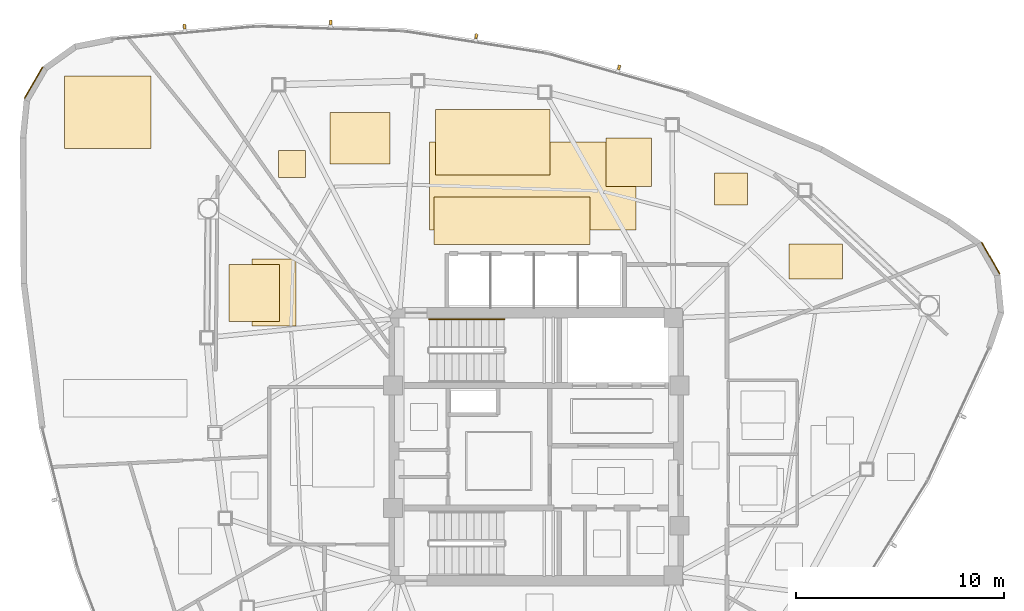
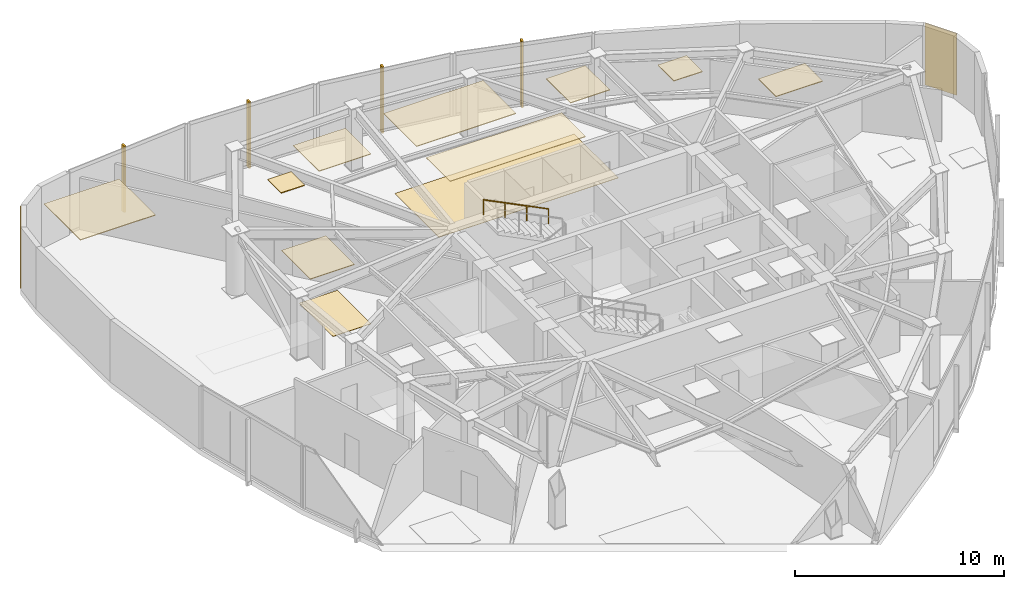
# One storey, part 13 of 13: 13 coverings, 4 shading devices, 1 railing.
"""IFC4 building model written with IfcOpenShell, lengths in metres."""

from ifc_helpers import new_model, si_unit, direction, frame, origin, origin_2d, place, context, subcontext, project, spatial, polyline, rectangle, outline, extrude, source, transform, mapped, material, layer, layer_set, type_object, type_shapes, element, save


model = new_model("IFC4")

# Units and contexts
model_context = context("Model", 3, precision=1e-05, world=origin(), true_north=direction((0.0, 1.0)))
body_context = subcontext(model_context, "Body", "Model", "MODEL_VIEW")
ifc_project = project(units=[si_unit("LENGTHUNIT", "METRE"), si_unit("AREAUNIT", "SQUARE_METRE"), si_unit("VOLUMEUNIT", "CUBIC_METRE"), si_unit("PLANEANGLEUNIT", "RADIAN"), si_unit("MASSUNIT", "GRAM", prefix="KILO")], contexts=[model_context])

# Site, building, storey
site_placement = place(None, origin())
site = spatial("IfcSite", under=ifc_project, at=site_placement, CompositionType="ELEMENT")
building_placement = place(site_placement, origin())
building = spatial("IfcBuilding", under=site, at=building_placement, Name="Tavelor Broadcast Tower", CompositionType="ELEMENT")
storey_placement = place(building_placement, frame((0.0, 0.0, 241.89990234375)))
storey = spatial("IfcBuildingStorey", under=building, at=storey_placement, Name="L57", CompositionType="ELEMENT", Elevation=241.89990234375)

# Coverings
ifc_material_1 = material(Name="Copper-Bronze Anodized Aluminium", Category="aluminium")
ifc_layer_1 = layer(ifc_material_1, 0.050048828125)
ifc_layer_set_1 = layer_set([ifc_layer_1], Name="Copper-Bronze Anodized Aluminium")
covering_type_1 = type_object("IfcCoveringType", Name="Champagne-Bronze Corner Pier Metal Cladding 50 mm", PredefinedType="CLADDING", material=ifc_layer_set_1)
for number, where, z_axis, x_axis, name in (
    (1, (25.791748046875, 62.53076171875, 0.02001953125), (0.0, 0.0, 1.0), (-0.502265533143, -0.86471344052, 0.0), "L57 Champagne-Bronze Corner Cladding 03"),
    (2, (71.88623046875, 54.081787109375, 0.02001953125), (0.0, 0.0, 1.0), (-0.497731039913, 0.867331431408, 0.0), "L57 Champagne-Bronze Corner Cladding 23"),
):
    element("IfcCovering", number, at=place(storey_placement, frame(where, z_axis=z_axis, x_axis=x_axis)), inside=storey, type_object=covering_type_1, Name=name, PredefinedType="CLADDING", context=body_context, shape_type="SweptSolid", body=[
        extrude(rectangle(XDim=1.748046875, YDim=0.050048828125, at=origin_2d()), origin(), (0.0, 0.0, 1.0), 3.610107421875),
    ])

# Railing
ifc_material_2 = material(Name="Steel S355", Category="steel")
railing_type = type_object("IfcRailingType", Name="Continuous Brushed Stainless Handrail 900 mm", PredefinedType="HANDRAIL", material=ifc_material_2)
railing_placement = place(storey_placement, frame((48.449951171875, 51.14990234375, 2.154541015625)))
element("IfcRailing", 3, at=railing_placement, inside=storey, type_object=railing_type, Name="L57 ST1 stair handrail 2", PredefinedType="HANDRAIL", context=body_context, shape_type="SweptSolid", body=[
    extrude(rectangle(XDim=0.048095703125, YDim=0.048095703125, at=origin_2d()), frame((0.0, 0.0, 0.8759765625), z_axis=(-0.894851606799, 0.0, 0.446363755036), x_axis=(0.0, -1.0, 0.0)), (0.0, 0.0, 1.0), 4.02294921875),
    extrude(rectangle(XDim=0.0419921875, YDim=0.0419921875, at=origin_2d()), origin(), (0.0, 0.0, 1.0), 0.851806640625),
    extrude(rectangle(XDim=0.0419921875, YDim=0.0419921875, at=origin_2d()), frame((-1.199951171875, 0.0, 0.5986328125)), (0.0, 0.0, 1.0), 0.851806640625),
    extrude(rectangle(XDim=0.0419921875, YDim=0.0419921875, at=origin_2d()), frame((-2.39990234375, 0.0, 1.197021484375)), (0.0, 0.0, 1.0), 0.851806640625),
    extrude(rectangle(XDim=0.0419921875, YDim=0.0419921875, at=origin_2d()), frame((-3.599853515625, 0.0, 1.795654296875)), (0.0, 0.0, 1.0), 0.851806640625),
])

# Coverings
ifc_material_3 = material(Name="Acoustic Nylon Carpet Tile")
ifc_layer_2 = layer(ifc_material_3, 0.02001953125)
ifc_layer_set_2 = layer_set([ifc_layer_2], Name="Acoustic Nylon Carpet Tile")
covering_type_2 = type_object("IfcCoveringType", Name="Heavy-Duty Acoustic Broadcast Carpet Tile 20 mm", PredefinedType="FLOORING", material=ifc_layer_set_2)
covering_1_placement = place(storey_placement, origin())
element("IfcCovering", 4, at=covering_1_placement, inside=storey, type_object=covering_type_2, Name="L57 Broadcast Floor Finish 0845", PredefinedType="FLOORING", context=body_context, shape_type="SweptSolid", body=[
    extrude(outline(polyline([(36.320556640625, 50.807373046875), (38.439697265625, 50.807373046875), (38.439697265625, 54.03271484375), (36.320556640625, 54.03271484375), (36.320556640625, 50.807373046875)])), origin(), (0.0, 0.0, 1.0), 0.02001953125),
])
covering_2_placement = place(storey_placement, origin())
element("IfcCovering", 5, at=covering_2_placement, inside=storey, type_object=covering_type_2, Name="L57 Broadcast Floor Finish 0846", PredefinedType="FLOORING", context=body_context, shape_type="SweptSolid", body=[
    extrude(outline(polyline([(44.868896484375, 55.442138671875), (54.81201171875, 55.442138671875), (54.81201171875, 59.675048828125), (44.868896484375, 59.675048828125), (44.868896484375, 55.442138671875)])), origin(), (0.0, 0.0, 1.0), 0.02001953125),
])
ifc_material_4 = material(Name="Acoustic Mineral Fibre Tile")
ifc_layer_3 = layer(ifc_material_4, 0.0400390625)
ifc_layer_set_3 = layer_set([ifc_layer_3], Name="Acoustic Mineral Fibre Tile")
covering_type_3 = type_object("IfcCoveringType", Name="Suspended Acoustic Mineral-Fibre Office Ceiling 40 mm", PredefinedType="CEILING", material=ifc_layer_set_3)
covering_3_placement = place(storey_placement, frame((0.0, 0.0, 3.610107421875)))
element("IfcCovering", 6, at=covering_3_placement, inside=storey, type_object=covering_type_3, Name="L57 Suspended Acoustic Ceiling 2257", PredefinedType="CEILING", context=body_context, shape_type="SweptSolid", body=[
    extrude(outline(polyline([(35.197509765625, 51.0234375), (37.646484375, 51.0234375), (37.646484375, 53.785400390625), (35.197509765625, 53.785400390625), (35.197509765625, 51.0234375)])), origin(), (0.0, 0.0, 1.0), 0.0400390625),
])
covering_4_placement = place(storey_placement, frame((0.0, 0.0, 3.610107421875)))
element("IfcCovering", 7, at=covering_4_placement, inside=storey, type_object=covering_type_3, Name="L57 Suspended Acoustic Ceiling 2258", PredefinedType="CEILING", context=body_context, shape_type="SweptSolid", body=[
    extrude(outline(polyline([(27.28173828125, 59.373291015625), (31.4423828125, 59.373291015625), (31.4423828125, 62.855712890625), (27.28173828125, 62.855712890625), (27.28173828125, 59.373291015625)])), origin(), (0.0, 0.0, 1.0), 0.0400390625),
])
covering_5_placement = place(storey_placement, frame((0.0, 0.0, 3.610107421875)))
element("IfcCovering", 8, at=covering_5_placement, inside=storey, type_object=covering_type_3, Name="L57 Suspended Acoustic Ceiling 2260", PredefinedType="CEILING", context=body_context, shape_type="SweptSolid", body=[
    extrude(outline(polyline([(58.577392578125, 56.6474609375), (60.170654296875, 56.6474609375), (60.170654296875, 58.18701171875), (58.577392578125, 58.18701171875), (58.577392578125, 56.6474609375)])), origin(), (0.0, 0.0, 1.0), 0.0400390625),
])
covering_6_placement = place(storey_placement, frame((0.0, 0.0, 3.610107421875)))
element("IfcCovering", 9, at=covering_6_placement, inside=storey, type_object=covering_type_3, Name="L57 Suspended Acoustic Ceiling 2261", PredefinedType="CEILING", context=body_context, shape_type="SweptSolid", body=[
    extrude(outline(polyline([(62.16796875, 53.071044921875), (64.752197265625, 53.071044921875), (64.752197265625, 54.773193359375), (62.16796875, 54.773193359375), (62.16796875, 53.071044921875)])), origin(), (0.0, 0.0, 1.0), 0.0400390625),
])
covering_7_placement = place(storey_placement, frame((0.0, 0.0, 3.610107421875)))
element("IfcCovering", 10, at=covering_7_placement, inside=storey, type_object=covering_type_3, Name="L57 Suspended Acoustic Ceiling 2262", PredefinedType="CEILING", context=body_context, shape_type="SweptSolid", body=[
    extrude(outline(polyline([(45.081787109375, 54.744140625), (52.593505859375, 54.744140625), (52.593505859375, 57.0380859375), (45.081787109375, 57.0380859375), (45.081787109375, 54.744140625)])), origin(), (0.0, 0.0, 1.0), 0.0400390625),
])
covering_8_placement = place(storey_placement, frame((0.0, 0.0, 3.610107421875)))
element("IfcCovering", 11, at=covering_8_placement, inside=storey, type_object=covering_type_3, Name="L57 Suspended Acoustic Ceiling 2263", PredefinedType="CEILING", context=body_context, shape_type="SweptSolid", body=[
    extrude(outline(polyline([(37.588134765625, 57.959716796875), (38.88818359375, 57.959716796875), (38.88818359375, 59.259765625), (37.588134765625, 59.259765625), (37.588134765625, 57.959716796875)])), origin(), (0.0, 0.0, 1.0), 0.0400390625),
])
covering_9_placement = place(storey_placement, frame((0.0, 0.0, 3.610107421875)))
element("IfcCovering", 12, at=covering_9_placement, inside=storey, type_object=covering_type_3, Name="L57 Suspended Acoustic Ceiling 2264", PredefinedType="CEILING", context=body_context, shape_type="SweptSolid", body=[
    extrude(outline(polyline([(53.365478515625, 57.541259765625), (55.54296875, 57.541259765625), (55.54296875, 59.880615234375), (53.365478515625, 59.880615234375), (53.365478515625, 57.541259765625)])), origin(), (0.0, 0.0, 1.0), 0.0400390625),
])
covering_10_placement = place(storey_placement, frame((0.0, 0.0, 3.610107421875)))
element("IfcCovering", 13, at=covering_10_placement, inside=storey, type_object=covering_type_3, Name="L57 Suspended Acoustic Ceiling 2265", PredefinedType="CEILING", context=body_context, shape_type="SweptSolid", body=[
    extrude(outline(polyline([(45.157470703125, 58.081787109375), (50.666015625, 58.081787109375), (50.666015625, 61.25537109375), (45.157470703125, 61.25537109375), (45.157470703125, 58.081787109375)])), origin(), (0.0, 0.0, 1.0), 0.0400390625),
])
covering_11_placement = place(storey_placement, frame((0.0, 0.0, 3.610107421875)))
element("IfcCovering", 14, at=covering_11_placement, inside=storey, type_object=covering_type_3, Name="L57 Suspended Acoustic Ceiling 2266", PredefinedType="CEILING", context=body_context, shape_type="SweptSolid", body=[
    extrude(outline(polyline([(40.068359375, 58.62890625), (42.954833984375, 58.62890625), (42.954833984375, 61.10546875), (40.068359375, 61.10546875), (40.068359375, 58.62890625)])), origin(), (0.0, 0.0, 1.0), 0.0400390625),
])

# Shading devices
ifc_material_5 = material(Name="Kiln-Fired Glazed Terracotta", Category="masonry")
shading_device_type = type_object("IfcShadingDeviceType", Name="Extruded Terracotta Baguette Sun-Screen 110x240", PredefinedType="JALOUSIE", material=ifc_material_5)
shared_shape = source(origin(), body_context, "Body", "SweptSolid", [
    extrude(rectangle(XDim=0.110107421875, YDim=0.239990234375, at=origin_2d()), origin(), (0.0, 0.0, 1.0), 3.889892578125),
])
type_shapes(shading_device_type, [shared_shape])
for number, where, z_axis, x_axis, name in (
    (15, (53.98779296875, 63.27587890625, -0.259765625), (0.0, 0.0, 1.0), (-0.962312978642, 0.271944353017, 0.0), "L57 Terracotta Baguette Fin 597"),
    (16, (47.10888671875, 64.77587890625, -0.259765625), (0.0, 0.0, 1.0), (-0.98817491911, 0.153330783737, 0.0), "L57 Terracotta Baguette Fin 598"),
    (17, (40.098876953125, 65.43212890625, -0.259765625), (0.0, 0.0, 1.0), (-0.999467438949, 0.032631862958, 0.0), "L57 Terracotta Baguette Fin 599"),
    (18, (33.06103515625, 65.2353515625, -0.259765625), (0.0, 0.0, 1.0), (-0.996072034691, -0.088546607536, 0.0), "L57 Terracotta Baguette Fin 600"),
):
    element("IfcShadingDevice", number, at=place(storey_placement, frame(where, z_axis=z_axis, x_axis=x_axis)), inside=storey, type_object=shading_device_type, Name=name, PredefinedType="JALOUSIE", context=body_context, shape_type="MappedRepresentation", body=[
        mapped(shared_shape, transform((0.0, 0.0, 0.0), scale=1.0)),
    ])

save(model, "model.ifc")
